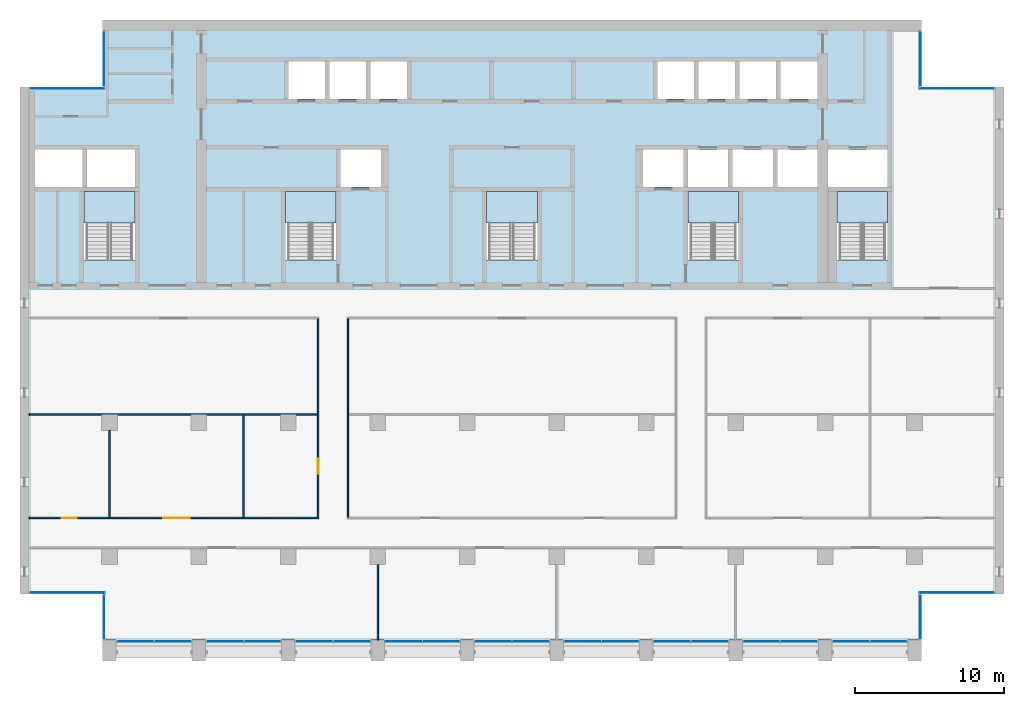
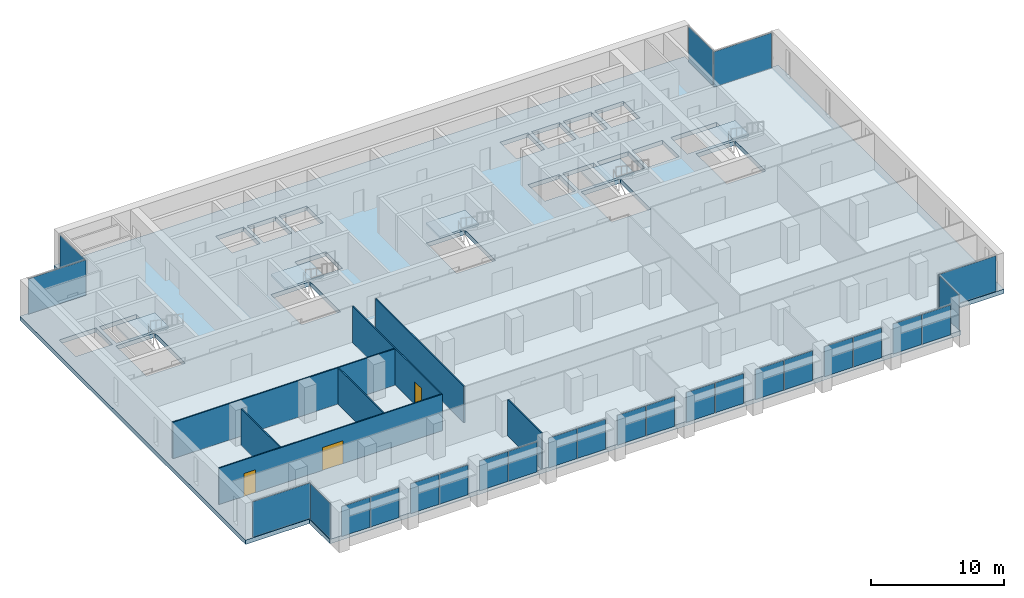
# One storey, part 7 of 17: 26 plates, 7 walls, 6 slabs, 3 doors, 3 openings, 22 elements without a shape of their own.
"""IFC4 building model written with IfcOpenShell, lengths in metres."""

from ifc_helpers import new_model, si_unit, direction, frame, frame_2d, origin, origin_2d, place, context, subcontext, project, spatial, polyline, rectangle, outline, extrude, material, layer, layer_set, type_object, element, fill, aggregate, save


model = new_model("IFC4")

# Units and contexts
model_context = context("Model", 3, precision=1e-05, world=origin(), true_north=direction((0.0, 1.0)))
body_context = subcontext(model_context, "Body", "Model", "MODEL_VIEW")
ifc_project = project(units=[si_unit("LENGTHUNIT", "METRE"), si_unit("AREAUNIT", "SQUARE_METRE"), si_unit("VOLUMEUNIT", "CUBIC_METRE"), si_unit("PLANEANGLEUNIT", "RADIAN"), si_unit("MASSUNIT", "GRAM", prefix="KILO")], contexts=[model_context])

# Site, building, storey
site_placement = place(None, origin())
site = spatial("IfcSite", under=ifc_project, at=site_placement, CompositionType="ELEMENT")
building_placement = place(site_placement, origin())
building = spatial("IfcBuilding", under=site, at=building_placement, Name="Calvaro Tower", CompositionType="ELEMENT")
storey_placement = place(building_placement, frame((0.0, 0.0, 208.0)))
storey = spatial("IfcBuildingStorey", under=building, at=storey_placement, Name="L52", CompositionType="ELEMENT", Elevation=208.0)

# Slab
ifc_material_1 = material(Name="Concrete C40/50", Category="concrete")
ifc_layer_1 = layer(ifc_material_1, 0.39990234375)
ifc_layer_set_1 = layer_set([ifc_layer_1], Name="Concrete C40/50")
slab_type_1 = type_object("IfcSlabType", Name="Floor slab 400 C40/50", PredefinedType="FLOOR", material=ifc_layer_set_1)
slab_1_placement = place(storey_placement, frame((0.0, 0.0, -0.39990234375)))
element("IfcSlab", 1, at=slab_1_placement, inside=storey, type_object=slab_type_1, Name="Floor slab", PredefinedType="FLOOR", context=body_context, shape_type="SweptSolid", body=[
    extrude(outline(polyline([(66.449951171875, 7.5), (66.449951171875, 4.39990234375), (11.550048828125, 4.39990234375), (11.550048828125, 7.5), (6.0, 7.5), (6.0, 41.5), (11.550048828125, 41.5), (11.550048828125, 46.0), (66.449951171875, 46.0), (66.449951171875, 41.5), (72.0, 41.5), (72.0, 7.5), (66.449951171875, 7.5)]), holes=[polyline([(10.300048828125, 29.909912109375), (10.300048828125, 34.5), (12.0, 34.5), (13.699951171875, 34.5), (13.699951171875, 29.909912109375), (12.0, 29.909912109375), (10.300048828125, 29.909912109375)]), polyline([(23.800048828125, 29.909912109375), (23.800048828125, 34.5), (25.5, 34.5), (27.199951171875, 34.5), (27.199951171875, 29.909912109375), (25.5, 29.909912109375), (23.800048828125, 29.909912109375)]), polyline([(37.300048828125, 29.909912109375), (37.300048828125, 34.5), (39.0, 34.5), (40.699951171875, 34.5), (40.699951171875, 29.909912109375), (39.0, 29.909912109375), (37.300048828125, 29.909912109375)]), polyline([(50.800048828125, 29.909912109375), (50.800048828125, 34.5), (52.5, 34.5), (54.199951171875, 34.5), (54.199951171875, 29.909912109375), (52.5, 29.909912109375), (50.800048828125, 29.909912109375)]), polyline([(60.800048828125, 29.909912109375), (60.800048828125, 34.5), (62.5, 34.5), (64.199951171875, 34.5), (64.199951171875, 29.909912109375), (62.5, 29.909912109375), (60.800048828125, 29.909912109375)]), polyline([(50.800048828125, 34.800048828125), (53.5, 34.800048828125), (53.5, 37.300048828125), (50.800048828125, 37.300048828125), (50.800048828125, 34.800048828125)]), polyline([(53.800048828125, 34.800048828125), (56.5, 34.800048828125), (56.5, 37.300048828125), (53.800048828125, 37.300048828125), (53.800048828125, 34.800048828125)]), polyline([(56.800048828125, 34.800048828125), (59.5, 34.800048828125), (59.5, 37.300048828125), (56.800048828125, 37.300048828125), (56.800048828125, 34.800048828125)]), polyline([(24.0, 40.699951171875), (26.449951171875, 40.699951171875), (26.449951171875, 43.199951171875), (24.0, 43.199951171875), (24.0, 40.699951171875)]), polyline([(26.75, 40.699951171875), (29.199951171875, 40.699951171875), (29.199951171875, 43.199951171875), (26.75, 43.199951171875), (26.75, 40.699951171875)]), polyline([(29.5, 40.699951171875), (31.949951171875, 40.699951171875), (31.949951171875, 43.199951171875), (29.5, 43.199951171875), (29.5, 40.699951171875)]), polyline([(48.75, 40.699951171875), (51.199951171875, 40.699951171875), (51.199951171875, 43.199951171875), (48.75, 43.199951171875), (48.75, 40.699951171875)]), polyline([(51.5, 40.699951171875), (53.949951171875, 40.699951171875), (53.949951171875, 43.199951171875), (51.5, 43.199951171875), (51.5, 40.699951171875)]), polyline([(54.25, 40.699951171875), (56.699951171875, 40.699951171875), (56.699951171875, 43.199951171875), (54.25, 43.199951171875), (54.25, 40.699951171875)]), polyline([(57.0, 40.699951171875), (59.5, 40.699951171875), (59.5, 43.199951171875), (57.0, 43.199951171875), (57.0, 40.699951171875)]), polyline([(7.0, 34.800048828125), (10.199951171875, 34.800048828125), (10.199951171875, 37.300048828125), (7.0, 37.300048828125), (7.0, 34.800048828125)]), polyline([(10.5, 34.800048828125), (13.699951171875, 34.800048828125), (13.699951171875, 37.300048828125), (10.5, 37.300048828125), (10.5, 34.800048828125)]), polyline([(60.199951171875, 34.800048828125), (64.199951171875, 34.800048828125), (64.199951171875, 37.300048828125), (60.199951171875, 37.300048828125), (60.199951171875, 34.800048828125)]), polyline([(27.5, 34.800048828125), (30.199951171875, 34.800048828125), (30.199951171875, 37.300048828125), (27.5, 37.300048828125), (27.5, 34.800048828125)]), polyline([(47.800048828125, 34.800048828125), (50.5, 34.800048828125), (50.5, 37.300048828125), (47.800048828125, 37.300048828125), (47.800048828125, 34.800048828125)])]), origin(), (0.0, 0.0, 1.0), 0.39990234375),
])

# Curtain wall, plates
ifc_material_2 = material(Name="Anodised aluminium", Category="aluminium")
curtain_wall_type = type_object("IfcCurtainWallType", Name="Office curtain wall, upper zone", PredefinedType="NOTDEFINED", material=ifc_material_2)
curtain_wall_1_placement = place(storey_placement, origin())
curtain_wall_1 = element("IfcCurtainWall", 2, at=curtain_wall_1_placement, inside=storey, type_object=curtain_wall_type, Name="CW3 south curtain wall", PredefinedType="NOTDEFINED")
ifc_material_3 = material(Name="Glass", Category="glass")
ifc_layer_2 = layer(ifc_material_3, 0.035888671875)
ifc_layer_set_2 = layer_set([ifc_layer_2], Name="Glass")
plate_type = type_object("IfcPlateType", Name="Glass panel S3 36", PredefinedType="CURTAIN_PANEL", material=ifc_layer_set_2)
plate_1_placement = place(storey_placement, frame((13.739990234375, 4.31005859375, 0.0), z_axis=(0.0, 0.0, 1.0), x_axis=(1.0, 0.0, 0.0)))
plate_1 = element("IfcPlate", 3, at=plate_1_placement, type_object=plate_type, Name="CW3 glass panel 1.1", PredefinedType="CURTAIN_PANEL", context=body_context, shape_type="SweptSolid", body=[
    extrude(rectangle(XDim=2.4599609375, YDim=0.035888671875, at=origin_2d()), origin(), (0.0, 0.0, 1.0), 2.75),
])
plate_2_placement = place(storey_placement, frame((16.260009765625, 4.31005859375, 0.0), z_axis=(0.0, 0.0, 1.0), x_axis=(1.0, 0.0, 0.0)))
plate_2 = element("IfcPlate", 4, at=plate_2_placement, type_object=plate_type, Name="CW3 glass panel 2.1", PredefinedType="CURTAIN_PANEL", context=body_context, shape_type="SweptSolid", body=[
    extrude(rectangle(XDim=2.4599609375, YDim=0.035888671875, at=origin_2d()), origin(), (0.0, 0.0, 1.0), 2.75),
])
aggregate(curtain_wall_1, [plate_1, plate_2])

curtain_wall_2_placement = place(storey_placement, origin())
curtain_wall_2 = element("IfcCurtainWall", 5, at=curtain_wall_2_placement, inside=storey, type_object=curtain_wall_type, Name="CW3 south curtain wall", PredefinedType="NOTDEFINED")
plate_3_placement = place(storey_placement, frame((19.739990234375, 4.31005859375, 0.0), z_axis=(0.0, 0.0, 1.0), x_axis=(1.0, 0.0, 0.0)))
plate_3 = element("IfcPlate", 6, at=plate_3_placement, type_object=plate_type, Name="CW3 glass panel 1.1", PredefinedType="CURTAIN_PANEL", context=body_context, shape_type="SweptSolid", body=[
    extrude(rectangle(XDim=2.4599609375, YDim=0.035888671875, at=origin_2d()), origin(), (0.0, 0.0, 1.0), 2.75),
])
plate_4_placement = place(storey_placement, frame((22.260009765625, 4.31005859375, 0.0), z_axis=(0.0, 0.0, 1.0), x_axis=(1.0, 0.0, 0.0)))
plate_4 = element("IfcPlate", 7, at=plate_4_placement, type_object=plate_type, Name="CW3 glass panel 2.1", PredefinedType="CURTAIN_PANEL", context=body_context, shape_type="SweptSolid", body=[
    extrude(rectangle(XDim=2.4599609375, YDim=0.035888671875, at=origin_2d()), origin(), (0.0, 0.0, 1.0), 2.75),
])
aggregate(curtain_wall_2, [plate_3, plate_4])

curtain_wall_3_placement = place(storey_placement, origin())
curtain_wall_3 = element("IfcCurtainWall", 8, at=curtain_wall_3_placement, inside=storey, type_object=curtain_wall_type, Name="CW3 south curtain wall", PredefinedType="NOTDEFINED")
plate_5_placement = place(storey_placement, frame((25.739990234375, 4.31005859375, 0.0), z_axis=(0.0, 0.0, 1.0), x_axis=(1.0, 0.0, 0.0)))
plate_5 = element("IfcPlate", 9, at=plate_5_placement, type_object=plate_type, Name="CW3 glass panel 1.1", PredefinedType="CURTAIN_PANEL", context=body_context, shape_type="SweptSolid", body=[
    extrude(rectangle(XDim=2.4599609375, YDim=0.035888671875, at=origin_2d()), origin(), (0.0, 0.0, 1.0), 2.75),
])
plate_6_placement = place(storey_placement, frame((28.260009765625, 4.31005859375, 0.0), z_axis=(0.0, 0.0, 1.0), x_axis=(1.0, 0.0, 0.0)))
plate_6 = element("IfcPlate", 10, at=plate_6_placement, type_object=plate_type, Name="CW3 glass panel 2.1", PredefinedType="CURTAIN_PANEL", context=body_context, shape_type="SweptSolid", body=[
    extrude(rectangle(XDim=2.4599609375, YDim=0.035888671875, at=origin_2d()), origin(), (0.0, 0.0, 1.0), 2.75),
])
aggregate(curtain_wall_3, [plate_5, plate_6])

curtain_wall_4_placement = place(storey_placement, origin())
curtain_wall_4 = element("IfcCurtainWall", 11, at=curtain_wall_4_placement, inside=storey, type_object=curtain_wall_type, Name="CW3 south curtain wall", PredefinedType="NOTDEFINED")
plate_7_placement = place(storey_placement, frame((31.739990234375, 4.31005859375, 0.0), z_axis=(0.0, 0.0, 1.0), x_axis=(1.0, 0.0, 0.0)))
plate_7 = element("IfcPlate", 12, at=plate_7_placement, type_object=plate_type, Name="CW3 glass panel 1.1", PredefinedType="CURTAIN_PANEL", context=body_context, shape_type="SweptSolid", body=[
    extrude(rectangle(XDim=2.4599609375, YDim=0.035888671875, at=origin_2d()), origin(), (0.0, 0.0, 1.0), 2.75),
])
plate_8_placement = place(storey_placement, frame((34.260009765625, 4.31005859375, 0.0), z_axis=(0.0, 0.0, 1.0), x_axis=(1.0, 0.0, 0.0)))
plate_8 = element("IfcPlate", 13, at=plate_8_placement, type_object=plate_type, Name="CW3 glass panel 2.1", PredefinedType="CURTAIN_PANEL", context=body_context, shape_type="SweptSolid", body=[
    extrude(rectangle(XDim=2.4599609375, YDim=0.035888671875, at=origin_2d()), origin(), (0.0, 0.0, 1.0), 2.75),
])
aggregate(curtain_wall_4, [plate_7, plate_8])

curtain_wall_5_placement = place(storey_placement, origin())
curtain_wall_5 = element("IfcCurtainWall", 14, at=curtain_wall_5_placement, inside=storey, type_object=curtain_wall_type, Name="CW3 south curtain wall", PredefinedType="NOTDEFINED")
plate_9_placement = place(storey_placement, frame((37.739990234375, 4.31005859375, 0.0), z_axis=(0.0, 0.0, 1.0), x_axis=(1.0, 0.0, 0.0)))
plate_9 = element("IfcPlate", 15, at=plate_9_placement, type_object=plate_type, Name="CW3 glass panel 1.1", PredefinedType="CURTAIN_PANEL", context=body_context, shape_type="SweptSolid", body=[
    extrude(rectangle(XDim=2.4599609375, YDim=0.035888671875, at=origin_2d()), origin(), (0.0, 0.0, 1.0), 2.75),
])
plate_10_placement = place(storey_placement, frame((40.260009765625, 4.31005859375, 0.0), z_axis=(0.0, 0.0, 1.0), x_axis=(1.0, 0.0, 0.0)))
plate_10 = element("IfcPlate", 16, at=plate_10_placement, type_object=plate_type, Name="CW3 glass panel 2.1", PredefinedType="CURTAIN_PANEL", context=body_context, shape_type="SweptSolid", body=[
    extrude(rectangle(XDim=2.4599609375, YDim=0.035888671875, at=origin_2d()), origin(), (0.0, 0.0, 1.0), 2.75),
])
aggregate(curtain_wall_5, [plate_9, plate_10])

curtain_wall_6_placement = place(storey_placement, origin())
curtain_wall_6 = element("IfcCurtainWall", 17, at=curtain_wall_6_placement, inside=storey, type_object=curtain_wall_type, Name="CW3 south curtain wall", PredefinedType="NOTDEFINED")
plate_11_placement = place(storey_placement, frame((43.739990234375, 4.31005859375, 0.0), z_axis=(0.0, 0.0, 1.0), x_axis=(1.0, 0.0, 0.0)))
plate_11 = element("IfcPlate", 18, at=plate_11_placement, type_object=plate_type, Name="CW3 glass panel 1.1", PredefinedType="CURTAIN_PANEL", context=body_context, shape_type="SweptSolid", body=[
    extrude(rectangle(XDim=2.4599609375, YDim=0.035888671875, at=origin_2d()), origin(), (0.0, 0.0, 1.0), 2.75),
])
plate_12_placement = place(storey_placement, frame((46.260009765625, 4.31005859375, 0.0), z_axis=(0.0, 0.0, 1.0), x_axis=(1.0, 0.0, 0.0)))
plate_12 = element("IfcPlate", 19, at=plate_12_placement, type_object=plate_type, Name="CW3 glass panel 2.1", PredefinedType="CURTAIN_PANEL", context=body_context, shape_type="SweptSolid", body=[
    extrude(rectangle(XDim=2.4599609375, YDim=0.035888671875, at=origin_2d()), origin(), (0.0, 0.0, 1.0), 2.75),
])
aggregate(curtain_wall_6, [plate_11, plate_12])

curtain_wall_7_placement = place(storey_placement, origin())
curtain_wall_7 = element("IfcCurtainWall", 20, at=curtain_wall_7_placement, inside=storey, type_object=curtain_wall_type, Name="CW3 south curtain wall", PredefinedType="NOTDEFINED")
plate_13_placement = place(storey_placement, frame((49.739990234375, 4.31005859375, 0.0), z_axis=(0.0, 0.0, 1.0), x_axis=(1.0, 0.0, 0.0)))
plate_13 = element("IfcPlate", 21, at=plate_13_placement, type_object=plate_type, Name="CW3 glass panel 1.1", PredefinedType="CURTAIN_PANEL", context=body_context, shape_type="SweptSolid", body=[
    extrude(rectangle(XDim=2.4599609375, YDim=0.035888671875, at=origin_2d()), origin(), (0.0, 0.0, 1.0), 2.75),
])
plate_14_placement = place(storey_placement, frame((52.260009765625, 4.31005859375, 0.0), z_axis=(0.0, 0.0, 1.0), x_axis=(1.0, 0.0, 0.0)))
plate_14 = element("IfcPlate", 22, at=plate_14_placement, type_object=plate_type, Name="CW3 glass panel 2.1", PredefinedType="CURTAIN_PANEL", context=body_context, shape_type="SweptSolid", body=[
    extrude(rectangle(XDim=2.4599609375, YDim=0.035888671875, at=origin_2d()), origin(), (0.0, 0.0, 1.0), 2.75),
])
aggregate(curtain_wall_7, [plate_13, plate_14])

curtain_wall_8_placement = place(storey_placement, origin())
curtain_wall_8 = element("IfcCurtainWall", 23, at=curtain_wall_8_placement, inside=storey, type_object=curtain_wall_type, Name="CW3 south curtain wall", PredefinedType="NOTDEFINED")
plate_15_placement = place(storey_placement, frame((55.739990234375, 4.31005859375, 0.0), z_axis=(0.0, 0.0, 1.0), x_axis=(1.0, 0.0, 0.0)))
plate_15 = element("IfcPlate", 24, at=plate_15_placement, type_object=plate_type, Name="CW3 glass panel 1.1", PredefinedType="CURTAIN_PANEL", context=body_context, shape_type="SweptSolid", body=[
    extrude(rectangle(XDim=2.4599609375, YDim=0.035888671875, at=origin_2d()), origin(), (0.0, 0.0, 1.0), 2.75),
])
plate_16_placement = place(storey_placement, frame((58.260009765625, 4.31005859375, 0.0), z_axis=(0.0, 0.0, 1.0), x_axis=(1.0, 0.0, 0.0)))
plate_16 = element("IfcPlate", 25, at=plate_16_placement, type_object=plate_type, Name="CW3 glass panel 2.1", PredefinedType="CURTAIN_PANEL", context=body_context, shape_type="SweptSolid", body=[
    extrude(rectangle(XDim=2.4599609375, YDim=0.035888671875, at=origin_2d()), origin(), (0.0, 0.0, 1.0), 2.75),
])
aggregate(curtain_wall_8, [plate_15, plate_16])

curtain_wall_9_placement = place(storey_placement, origin())
curtain_wall_9 = element("IfcCurtainWall", 26, at=curtain_wall_9_placement, inside=storey, type_object=curtain_wall_type, Name="CW3 south curtain wall", PredefinedType="NOTDEFINED")
plate_17_placement = place(storey_placement, frame((61.739990234375, 4.31005859375, 0.0), z_axis=(0.0, 0.0, 1.0), x_axis=(1.0, 0.0, 0.0)))
plate_17 = element("IfcPlate", 27, at=plate_17_placement, type_object=plate_type, Name="CW3 glass panel 1.1", PredefinedType="CURTAIN_PANEL", context=body_context, shape_type="SweptSolid", body=[
    extrude(rectangle(XDim=2.4599609375, YDim=0.035888671875, at=origin_2d()), origin(), (0.0, 0.0, 1.0), 2.75),
])
plate_18_placement = place(storey_placement, frame((64.260009765625, 4.31005859375, 0.0), z_axis=(0.0, 0.0, 1.0), x_axis=(1.0, 0.0, 0.0)))
plate_18 = element("IfcPlate", 28, at=plate_18_placement, type_object=plate_type, Name="CW3 glass panel 2.1", PredefinedType="CURTAIN_PANEL", context=body_context, shape_type="SweptSolid", body=[
    extrude(rectangle(XDim=2.4599609375, YDim=0.035888671875, at=origin_2d()), origin(), (0.0, 0.0, 1.0), 2.75),
])
aggregate(curtain_wall_9, [plate_17, plate_18])

# Curtain wall, plate
curtain_wall_10_placement = place(storey_placement, origin())
curtain_wall_10 = element("IfcCurtainWall", 29, at=curtain_wall_10_placement, inside=storey, type_object=curtain_wall_type, Name="CW3 corner curtain wall", PredefinedType="NOTDEFINED")
plate_19_placement = place(storey_placement, frame((11.639892578125, 5.949951171875, 0.0), z_axis=(0.0, 0.0, 1.0), x_axis=(0.0, 1.0, 0.0)))
plate_19 = element("IfcPlate", 30, at=plate_19_placement, type_object=plate_type, Name="CW3 glass panel 1.1", PredefinedType="CURTAIN_PANEL", context=body_context, shape_type="SweptSolid", body=[
    extrude(rectangle(XDim=2.97998046875, YDim=0.035888671875, at=origin_2d()), origin(), (0.0, 0.0, 1.0), 3.25),
])
aggregate(curtain_wall_10, [plate_19])

curtain_wall_11_placement = place(storey_placement, origin())
curtain_wall_11 = element("IfcCurtainWall", 31, at=curtain_wall_11_placement, inside=storey, type_object=curtain_wall_type, Name="CW3 corner curtain wall", PredefinedType="NOTDEFINED")
plate_20_placement = place(storey_placement, frame((9.1650390625, 7.590087890625, 0.0), z_axis=(0.0, 0.0, 1.0), x_axis=(1.0, 0.0, 0.0)))
plate_20 = element("IfcPlate", 32, at=plate_20_placement, type_object=plate_type, Name="CW3 glass panel 1.1", PredefinedType="CURTAIN_PANEL", context=body_context, shape_type="SweptSolid", body=[
    extrude(rectangle(XDim=5.010009765625, YDim=0.035888671875, at=origin_2d()), origin(), (0.0, 0.0, 1.0), 3.25),
])
aggregate(curtain_wall_11, [plate_20])

curtain_wall_12_placement = place(storey_placement, origin())
curtain_wall_12 = element("IfcCurtainWall", 33, at=curtain_wall_12_placement, inside=storey, type_object=curtain_wall_type, Name="CW3 corner curtain wall", PredefinedType="NOTDEFINED")
plate_21_placement = place(storey_placement, frame((11.639892578125, 43.39990234375, 0.0), z_axis=(0.0, 0.0, 1.0), x_axis=(0.0, 1.0, 0.0)))
plate_21 = element("IfcPlate", 34, at=plate_21_placement, type_object=plate_type, Name="CW3 glass panel 1.1", PredefinedType="CURTAIN_PANEL", context=body_context, shape_type="SweptSolid", body=[
    extrude(rectangle(XDim=3.679931640625, YDim=0.035888671875, at=origin_2d()), origin(), (0.0, 0.0, 1.0), 3.25),
])
aggregate(curtain_wall_12, [plate_21])

curtain_wall_13_placement = place(storey_placement, origin())
curtain_wall_13 = element("IfcCurtainWall", 35, at=curtain_wall_13_placement, inside=storey, type_object=curtain_wall_type, Name="CW3 corner curtain wall", PredefinedType="NOTDEFINED")
plate_22_placement = place(storey_placement, frame((9.1650390625, 41.409912109375, 0.0), z_axis=(0.0, 0.0, 1.0), x_axis=(1.0, 0.0, 0.0)))
plate_22 = element("IfcPlate", 36, at=plate_22_placement, type_object=plate_type, Name="CW3 glass panel 1.1", PredefinedType="CURTAIN_PANEL", context=body_context, shape_type="SweptSolid", body=[
    extrude(rectangle(XDim=5.010009765625, YDim=0.035888671875, at=origin_2d()), origin(), (0.0, 0.0, 1.0), 3.25),
])
aggregate(curtain_wall_13, [plate_22])

curtain_wall_14_placement = place(storey_placement, origin())
curtain_wall_14 = element("IfcCurtainWall", 37, at=curtain_wall_14_placement, inside=storey, type_object=curtain_wall_type, Name="CW3 corner curtain wall", PredefinedType="NOTDEFINED")
plate_23_placement = place(storey_placement, frame((66.360107421875, 5.949951171875, 0.0), z_axis=(0.0, 0.0, 1.0), x_axis=(0.0, 1.0, 0.0)))
plate_23 = element("IfcPlate", 38, at=plate_23_placement, type_object=plate_type, Name="CW3 glass panel 1.1", PredefinedType="CURTAIN_PANEL", context=body_context, shape_type="SweptSolid", body=[
    extrude(rectangle(XDim=2.97998046875, YDim=0.035888671875, at=origin_2d()), origin(), (0.0, 0.0, 1.0), 3.25),
])
aggregate(curtain_wall_14, [plate_23])

curtain_wall_15_placement = place(storey_placement, origin())
curtain_wall_15 = element("IfcCurtainWall", 39, at=curtain_wall_15_placement, inside=storey, type_object=curtain_wall_type, Name="CW3 corner curtain wall", PredefinedType="NOTDEFINED")
plate_24_placement = place(storey_placement, frame((68.8349609375, 7.590087890625, 0.0), z_axis=(0.0, 0.0, 1.0), x_axis=(1.0, 0.0, 0.0)))
plate_24 = element("IfcPlate", 40, at=plate_24_placement, type_object=plate_type, Name="CW3 glass panel 1.1", PredefinedType="CURTAIN_PANEL", context=body_context, shape_type="SweptSolid", body=[
    extrude(rectangle(XDim=5.010009765625, YDim=0.035888671875, at=origin_2d()), origin(), (0.0, 0.0, 1.0), 3.25),
])
aggregate(curtain_wall_15, [plate_24])

curtain_wall_16_placement = place(storey_placement, origin())
curtain_wall_16 = element("IfcCurtainWall", 41, at=curtain_wall_16_placement, inside=storey, type_object=curtain_wall_type, Name="CW3 corner curtain wall", PredefinedType="NOTDEFINED")
plate_25_placement = place(storey_placement, frame((66.360107421875, 43.39990234375, 0.0), z_axis=(0.0, 0.0, 1.0), x_axis=(0.0, 1.0, 0.0)))
plate_25 = element("IfcPlate", 42, at=plate_25_placement, type_object=plate_type, Name="CW3 glass panel 1.1", PredefinedType="CURTAIN_PANEL", context=body_context, shape_type="SweptSolid", body=[
    extrude(rectangle(XDim=3.679931640625, YDim=0.035888671875, at=origin_2d()), origin(), (0.0, 0.0, 1.0), 3.25),
])
aggregate(curtain_wall_16, [plate_25])

curtain_wall_17_placement = place(storey_placement, origin())
curtain_wall_17 = element("IfcCurtainWall", 43, at=curtain_wall_17_placement, inside=storey, type_object=curtain_wall_type, Name="CW3 corner curtain wall", PredefinedType="NOTDEFINED")
plate_26_placement = place(storey_placement, frame((68.8349609375, 41.409912109375, 0.0), z_axis=(0.0, 0.0, 1.0), x_axis=(1.0, 0.0, 0.0)))
plate_26 = element("IfcPlate", 44, at=plate_26_placement, type_object=plate_type, Name="CW3 glass panel 1.1", PredefinedType="CURTAIN_PANEL", context=body_context, shape_type="SweptSolid", body=[
    extrude(rectangle(XDim=5.010009765625, YDim=0.035888671875, at=origin_2d()), origin(), (0.0, 0.0, 1.0), 3.25),
])
aggregate(curtain_wall_17, [plate_26])

# Stair, slab
ifc_material_4 = material(Name="Concrete C40/50", Category="concrete")
stair_type = type_object("IfcStairType", Name="Exit stair 1400 2 flights", PredefinedType="HALF_TURN_STAIR", material=ifc_material_4)
stair_1_placement = place(storey_placement, origin())
stair_1 = element("IfcStair", 45, at=stair_1_placement, inside=storey, type_object=stair_type, Name="Exit stair S1", PredefinedType="HALF_TURN_STAIR")
ifc_material_5 = material(Name="Concrete C40/50", Category="concrete")
ifc_layer_3 = layer(ifc_material_5, 0.199951171875)
ifc_layer_set_3 = layer_set([ifc_layer_3], Name="Concrete C40/50")
slab_type_2 = type_object("IfcSlabType", Name="Stair landing", PredefinedType="LANDING", material=ifc_layer_set_3)
slab_2_placement = place(storey_placement, frame((0.0, 0.0, 1.675048828125)))
slab_2 = element("IfcSlab", 46, at=slab_2_placement, type_object=slab_type_2, Name="Exit stair 1, landing 1", PredefinedType="LANDING", context=body_context, shape_type="SweptSolid", body=[
    extrude(outline(polyline([(11.89990234375, 32.389892578125), (10.5, 32.389892578125), (10.5, 32.39990234375), (10.300048828125, 32.39990234375), (10.300048828125, 34.5), (10.5, 34.5), (11.89990234375, 34.5), (12.10009765625, 34.5), (13.5, 34.5), (13.699951171875, 34.5), (13.699951171875, 32.39990234375), (13.5, 32.39990234375), (13.5, 32.389892578125), (12.10009765625, 32.389892578125), (12.10009765625, 32.39990234375), (11.89990234375, 32.39990234375), (11.89990234375, 32.389892578125)])), origin(), (0.0, 0.0, 1.0), 0.199951171875),
])
aggregate(stair_1, [slab_2])

stair_2_placement = place(storey_placement, origin())
stair_2 = element("IfcStair", 47, at=stair_2_placement, inside=storey, type_object=stair_type, Name="Exit stair S2", PredefinedType="HALF_TURN_STAIR")
slab_3_placement = place(storey_placement, frame((0.0, 0.0, 1.675048828125)))
slab_3 = element("IfcSlab", 48, at=slab_3_placement, type_object=slab_type_2, Name="Exit stair 2, landing 1", PredefinedType="LANDING", context=body_context, shape_type="SweptSolid", body=[
    extrude(outline(polyline([(25.39990234375, 32.389892578125), (24.0, 32.389892578125), (24.0, 32.39990234375), (23.800048828125, 32.39990234375), (23.800048828125, 34.5), (24.0, 34.5), (25.39990234375, 34.5), (25.60009765625, 34.5), (27.0, 34.5), (27.199951171875, 34.5), (27.199951171875, 32.39990234375), (27.0, 32.39990234375), (27.0, 32.389892578125), (25.60009765625, 32.389892578125), (25.60009765625, 32.39990234375), (25.39990234375, 32.39990234375), (25.39990234375, 32.389892578125)])), origin(), (0.0, 0.0, 1.0), 0.199951171875),
])
aggregate(stair_2, [slab_3])

stair_3_placement = place(storey_placement, origin())
stair_3 = element("IfcStair", 49, at=stair_3_placement, inside=storey, type_object=stair_type, Name="Exit stair S3", PredefinedType="HALF_TURN_STAIR")
slab_4_placement = place(storey_placement, frame((0.0, 0.0, 1.675048828125)))
slab_4 = element("IfcSlab", 50, at=slab_4_placement, type_object=slab_type_2, Name="Exit stair 3, landing 1", PredefinedType="LANDING", context=body_context, shape_type="SweptSolid", body=[
    extrude(outline(polyline([(38.89990234375, 32.389892578125), (37.5, 32.389892578125), (37.5, 32.39990234375), (37.300048828125, 32.39990234375), (37.300048828125, 34.5), (37.5, 34.5), (38.89990234375, 34.5), (39.10009765625, 34.5), (40.5, 34.5), (40.699951171875, 34.5), (40.699951171875, 32.39990234375), (40.5, 32.39990234375), (40.5, 32.389892578125), (39.10009765625, 32.389892578125), (39.10009765625, 32.39990234375), (38.89990234375, 32.39990234375), (38.89990234375, 32.389892578125)])), origin(), (0.0, 0.0, 1.0), 0.199951171875),
])
aggregate(stair_3, [slab_4])

stair_4_placement = place(storey_placement, origin())
stair_4 = element("IfcStair", 51, at=stair_4_placement, inside=storey, type_object=stair_type, Name="Exit stair S4", PredefinedType="HALF_TURN_STAIR")
slab_5_placement = place(storey_placement, frame((0.0, 0.0, 1.675048828125)))
slab_5 = element("IfcSlab", 52, at=slab_5_placement, type_object=slab_type_2, Name="Exit stair 4, landing 1", PredefinedType="LANDING", context=body_context, shape_type="SweptSolid", body=[
    extrude(outline(polyline([(52.39990234375, 32.389892578125), (51.0, 32.389892578125), (51.0, 32.39990234375), (50.800048828125, 32.39990234375), (50.800048828125, 34.5), (51.0, 34.5), (52.39990234375, 34.5), (52.60009765625, 34.5), (54.0, 34.5), (54.199951171875, 34.5), (54.199951171875, 32.39990234375), (54.0, 32.39990234375), (54.0, 32.389892578125), (52.60009765625, 32.389892578125), (52.60009765625, 32.39990234375), (52.39990234375, 32.39990234375), (52.39990234375, 32.389892578125)])), origin(), (0.0, 0.0, 1.0), 0.199951171875),
])
aggregate(stair_4, [slab_5])

stair_5_placement = place(storey_placement, origin())
stair_5 = element("IfcStair", 53, at=stair_5_placement, inside=storey, type_object=stair_type, Name="Exit stair S5", PredefinedType="HALF_TURN_STAIR")
slab_6_placement = place(storey_placement, frame((0.0, 0.0, 1.675048828125)))
slab_6 = element("IfcSlab", 54, at=slab_6_placement, type_object=slab_type_2, Name="Exit stair 5, landing 1", PredefinedType="LANDING", context=body_context, shape_type="SweptSolid", body=[
    extrude(outline(polyline([(62.39990234375, 32.389892578125), (61.0, 32.389892578125), (61.0, 32.39990234375), (60.800048828125, 32.39990234375), (60.800048828125, 34.5), (61.0, 34.5), (62.39990234375, 34.5), (62.60009765625, 34.5), (64.0, 34.5), (64.199951171875, 34.5), (64.199951171875, 32.39990234375), (64.0, 32.39990234375), (64.0, 32.389892578125), (62.60009765625, 32.389892578125), (62.60009765625, 32.39990234375), (62.39990234375, 32.39990234375), (62.39990234375, 32.389892578125)])), origin(), (0.0, 0.0, 1.0), 0.199951171875),
])
aggregate(stair_5, [slab_6])

# Wall, openings, doors
ifc_material_6 = material(Name="Plasterboard on steel studs", Category="steel")
ifc_layer_4 = layer(ifc_material_6, 0.10009765625)
ifc_layer_set_4 = layer_set([ifc_layer_4], Name="Plasterboard on steel studs")
wall_type = type_object("IfcWallType", Name="Partition 100", PredefinedType="PARTITIONING", material=ifc_layer_set_4)
wall_1_placement = place(storey_placement, frame((6.60009765625, 12.60009765625, 0.0), z_axis=(0.0, 0.0, 1.0), x_axis=(1.0, 0.0, 0.0)))
wall_1 = element("IfcWall", 55, at=wall_1_placement, inside=storey, type_object=wall_type, Name="Partition T30.W002", PredefinedType="PARTITIONING", context=body_context, shape_type="SweptSolid", body=[
    extrude(rectangle(XDim=19.449951171875, YDim=0.10009765625, at=frame_2d((9.72509765625, 0.0))), origin(), (0.0, 0.0, 1.0), 3.35009765625),
])
opening_1_placement = place(wall_1_placement, frame((2.199951171875, 0.0, 0.0)))
opening_1 = element("IfcOpeningElement", 56, at=opening_1_placement, cuts=wall_1, Name="Opening T30.005", PredefinedType="OPENING", context=body_context, shape_type="SweptSolid", body=[
    extrude(rectangle(XDim=1.0, YDim=2.10009765625, at=frame_2d((0.5, 1.050048828125))), frame((0.0, 0.06005859375, 0.0), z_axis=(0.0, -1.0, 0.0), x_axis=(1.0, 0.0, 0.0)), (0.0, 0.0, 1.0), 0.1201171875),
])
opening_2_placement = place(wall_1_placement, frame((9.0, 0.0, 0.0)))
opening_2 = element("IfcOpeningElement", 57, at=opening_2_placement, cuts=wall_1, Name="Opening T30.006", PredefinedType="OPENING", context=body_context, shape_type="SweptSolid", body=[
    extrude(rectangle(XDim=1.800048828125, YDim=2.10009765625, at=frame_2d((0.89990234375, 1.050048828125))), frame((0.0, 0.06005859375, 0.0), z_axis=(0.0, -1.0, 0.0), x_axis=(1.0, 0.0, 0.0)), (0.0, 0.0, 1.0), 0.1201171875),
])
ifc_material_7 = material(Name="Timber", Category="wood")
door_type_1 = type_object("IfcDoorType", Name="Internal double door 1800 x 2100", OperationType="DOUBLE_DOOR_SINGLE_SWING", PredefinedType="DOOR", material=ifc_material_7)
door_1_placement = place(opening_2_placement, origin())
door_1 = element("IfcDoor", 58, at=door_1_placement, inside=storey, type_object=door_type_1, Name="Door T30.006", OperationType="DOUBLE_DOOR_SINGLE_SWING", OverallHeight=2.10009765625, OverallWidth=1.800048828125, PredefinedType="DOOR", context=body_context, shape_type="SweptSolid", body=[
    extrude(rectangle(XDim=1.800048828125, YDim=2.10009765625, at=frame_2d((0.89990234375, 1.050048828125))), frame((0.0, 0.02490234375, 0.0), z_axis=(0.0, -1.0, 0.0), x_axis=(1.0, 0.0, 0.0)), (0.0, 0.0, 1.0), 0.050048828125),
])
fill(opening_2, door_1)
ifc_material_8 = material(Name="Timber", Category="wood")
door_type_2 = type_object("IfcDoorType", Name="Internal single door 1000 x 2100", OperationType="SINGLE_SWING_LEFT", PredefinedType="DOOR", material=ifc_material_8)
door_2_placement = place(opening_1_placement, origin())
door_2 = element("IfcDoor", 59, at=door_2_placement, inside=storey, type_object=door_type_2, Name="Door T30.005", OperationType="SINGLE_SWING_LEFT", OverallHeight=2.10009765625, OverallWidth=1.0, PredefinedType="DOOR", context=body_context, shape_type="SweptSolid", body=[
    extrude(rectangle(XDim=1.0, YDim=2.10009765625, at=frame_2d((0.5, 1.050048828125))), frame((0.0, 0.02490234375, 0.0), z_axis=(0.0, -1.0, 0.0), x_axis=(1.0, 0.0, 0.0)), (0.0, 0.0, 1.0), 0.050048828125),
])
fill(opening_1, door_2)

# Walls
wall_2_placement = place(storey_placement, frame((6.60009765625, 19.550048828125, 0.0), z_axis=(0.0, 0.0, 1.0), x_axis=(1.0, 0.0, 0.0)))
element("IfcWall", 60, at=wall_2_placement, inside=storey, type_object=wall_type, Name="Partition T30.W005", PredefinedType="PARTITIONING", context=body_context, shape_type="SweptSolid", body=[
    extrude(rectangle(XDim=19.349853515625, YDim=0.10009765625, at=frame_2d((9.6748046875, 0.0))), origin(), (0.0, 0.0, 1.0), 3.35009765625),
])
wall_3_placement = place(storey_placement, frame((12.0, 12.64990234375, 0.0), z_axis=(0.0, 0.0, 1.0), x_axis=(0.0, 1.0, 0.0)))
element("IfcWall", 61, at=wall_3_placement, inside=storey, type_object=wall_type, Name="Partition T30.W012", PredefinedType="PARTITIONING", context=body_context, shape_type="SweptSolid", body=[
    extrude(rectangle(XDim=5.8251953125, YDim=0.10009765625, at=frame_2d((2.91259765625, 0.0))), origin(), (0.0, 0.0, 1.0), 3.35009765625),
])
wall_4_placement = place(storey_placement, frame((21.0, 12.64990234375, 0.0), z_axis=(0.0, 0.0, 1.0), x_axis=(0.0, 1.0, 0.0)))
element("IfcWall", 62, at=wall_4_placement, inside=storey, type_object=wall_type, Name="Partition T30.W013", PredefinedType="PARTITIONING", context=body_context, shape_type="SweptSolid", body=[
    extrude(rectangle(XDim=6.85009765625, YDim=0.10009765625, at=frame_2d((3.425048828125, 0.0))), origin(), (0.0, 0.0, 1.0), 3.35009765625),
])

# Wall, opening, door
wall_5_placement = place(storey_placement, frame((26.0, 12.64990234375, 0.0), z_axis=(0.0, 0.0, 1.0), x_axis=(0.0, 1.0, 0.0)))
wall_5 = element("IfcWall", 63, at=wall_5_placement, inside=storey, type_object=wall_type, Name="Partition T30.W014", PredefinedType="PARTITIONING", context=body_context, shape_type="SweptSolid", body=[
    extrude(rectangle(XDim=13.300048828125, YDim=0.10009765625, at=frame_2d((6.64990234375, 0.0))), origin(), (0.0, 0.0, 1.0), 3.35009765625),
])
opening_3_placement = place(wall_5_placement, frame((2.925048828125, 0.0, 0.0)))
opening_3 = element("IfcOpeningElement", 64, at=opening_3_placement, cuts=wall_5, Name="Opening T30.007", PredefinedType="OPENING", context=body_context, shape_type="SweptSolid", body=[
    extrude(rectangle(XDim=1.0, YDim=2.10009765625, at=frame_2d((0.5, 1.050048828125))), frame((0.0, 0.06005859375, 0.0), z_axis=(0.0, -1.0, 0.0), x_axis=(1.0, 0.0, 0.0)), (0.0, 0.0, 1.0), 0.1201171875),
])
door_3_placement = place(opening_3_placement, origin())
door_3 = element("IfcDoor", 65, at=door_3_placement, inside=storey, type_object=door_type_2, Name="Door T30.007", OperationType="SINGLE_SWING_LEFT", OverallHeight=2.10009765625, OverallWidth=1.0, PredefinedType="DOOR", context=body_context, shape_type="SweptSolid", body=[
    extrude(rectangle(XDim=1.0, YDim=2.10009765625, at=frame_2d((0.5, 1.050048828125))), frame((0.0, 0.02490234375, 0.0), z_axis=(0.0, -1.0, 0.0), x_axis=(1.0, 0.0, 0.0)), (0.0, 0.0, 1.0), 0.050048828125),
])
fill(opening_3, door_3)

# Walls
wall_6_placement = place(storey_placement, frame((28.0, 12.64990234375, 0.0), z_axis=(0.0, 0.0, 1.0), x_axis=(0.0, 1.0, 0.0)))
element("IfcWall", 66, at=wall_6_placement, inside=storey, type_object=wall_type, Name="Partition T30.W015", PredefinedType="PARTITIONING", context=body_context, shape_type="SweptSolid", body=[
    extrude(rectangle(XDim=13.300048828125, YDim=0.10009765625, at=frame_2d((6.64990234375, 0.0))), origin(), (0.0, 0.0, 1.0), 3.35009765625),
])
wall_7_placement = place(storey_placement, frame((30.0, 4.39990234375, 0.0), z_axis=(0.0, 0.0, 1.0), x_axis=(0.0, 1.0, 0.0)))
element("IfcWall", 67, at=wall_7_placement, inside=storey, type_object=wall_type, Name="Partition T30.W016", PredefinedType="PARTITIONING", context=body_context, shape_type="SweptSolid", body=[
    extrude(rectangle(XDim=5.0751953125, YDim=0.10009765625, at=frame_2d((2.53759765625, 0.0))), origin(), (0.0, 0.0, 1.0), 3.35009765625),
])

save(model, "model.ifc")
